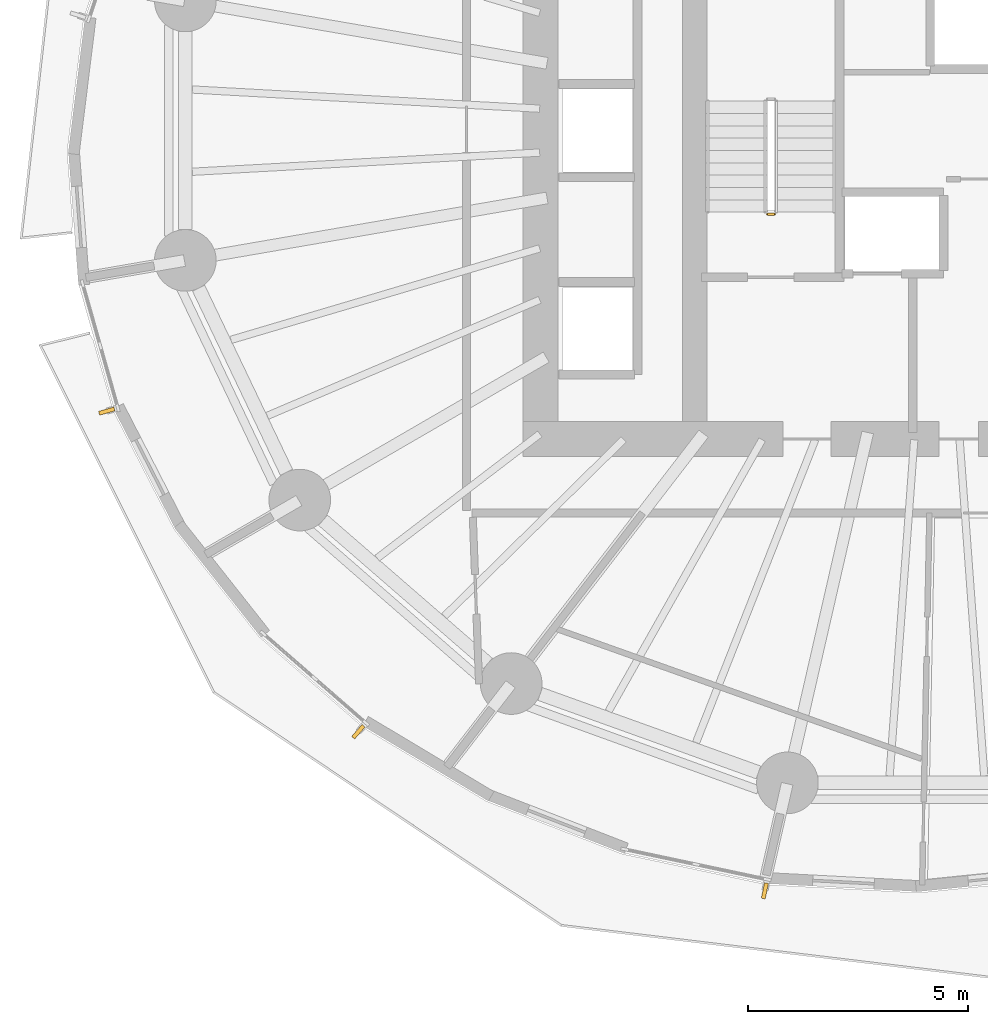
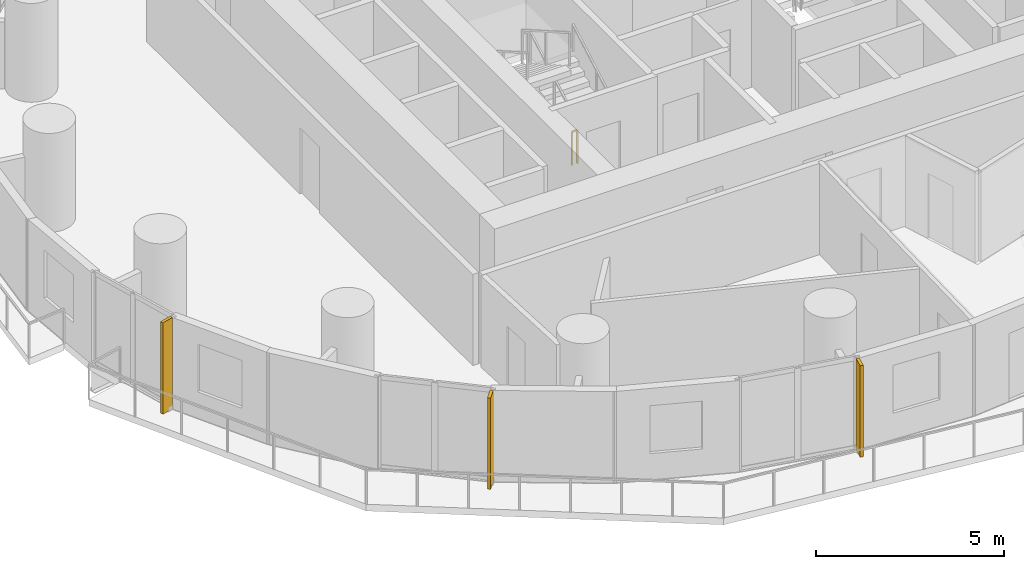
# One storey, part 10 of 13: 3 shading devices, 1 railing.
"""IFC4 building model written with IfcOpenShell, lengths in metres."""

from ifc_helpers import new_model, si_unit, direction, frame, origin, origin_2d, place, context, subcontext, project, spatial, rectangle, extrude, material, layer, layer_set, type_object, element, save


model = new_model("IFC4")

# Units and contexts
model_context = context("Model", 3, precision=1e-05, world=origin(), true_north=direction((0.0, 1.0)))
body_context = subcontext(model_context, "Body", "Model", "MODEL_VIEW")
ifc_project = project(units=[si_unit("LENGTHUNIT", "METRE"), si_unit("AREAUNIT", "SQUARE_METRE"), si_unit("VOLUMEUNIT", "CUBIC_METRE"), si_unit("PLANEANGLEUNIT", "RADIAN"), si_unit("MASSUNIT", "GRAM", prefix="KILO")], contexts=[model_context])

# Site, building, storey
site_placement = place(None, origin())
site = spatial("IfcSite", under=ifc_project, at=site_placement, CompositionType="ELEMENT")
building_placement = place(site_placement, origin())
building = spatial("IfcBuilding", under=site, at=building_placement, Name="Veldorim Arch Residences", CompositionType="ELEMENT")
storey_placement = place(building_placement, frame((0.0, 0.0, 47.199951171875)))
storey = spatial("IfcBuildingStorey", under=building, at=storey_placement, Name="L13", CompositionType="ELEMENT", Elevation=47.199951171875)

# Railing
ifc_material_1 = material(Name="Steel S355", Category="steel")
railing_type = type_object("IfcRailingType", Name="Galvanised Steel Stair Safety Guardrail 1100", PredefinedType="GUARDRAIL", material=ifc_material_1)
railing_placement = place(storey_placement, frame((28.31005859375, 22.10009765625, 0.0)))
element("IfcRailing", 1, at=railing_placement, inside=storey, type_object=railing_type, Name="L13 ST-1 stair guard 4", PredefinedType="GUARDRAIL", context=body_context, shape_type="SweptSolid", body=[
    extrude(rectangle(XDim=0.048095703125, YDim=0.048095703125, at=origin_2d()), frame((0.0, 0.0, 1.076171875), z_axis=(-1.0, 0.0, 0.0), x_axis=(0.0, -1.0, 0.0)), (0.0, 0.0, 1.0), 0.16015625),
    extrude(rectangle(XDim=0.0419921875, YDim=0.0419921875, at=origin_2d()), origin(), (0.0, 0.0, 1.0), 1.052001953125),
    extrude(rectangle(XDim=0.0419921875, YDim=0.0419921875, at=origin_2d()), frame((-0.16015625, 0.0, 0.0)), (0.0, 0.0, 1.0), 1.052001953125),
])

# Shading devices
ifc_material_2 = material(Name="Terracotta Ceramic", Category="masonry")
ifc_layer = layer(ifc_material_2, 0.090087890625, Name="Vertical Extruded Terracotta Baguette Sun-Shading Fin")
ifc_layer_set = layer_set([ifc_layer], Name="Terracotta Ceramic")
shading_device_type = type_object("IfcShadingDeviceType", Name="Vertical Extruded Terracotta Baguette Sun-Shading Fin", PredefinedType="USERDEFINED", material=ifc_layer_set)
for number, where, z_axis, x_axis, name in (
    (2, (13.149658203125, 17.630859375, 0.0), (0.0, 0.0, 1.0), (-0.272784025857, 0.962075296033, 0.0), "L13 vertical terracotta sun-shading fin 19"),
    (3, (18.86376953125, 10.351318359375, 0.0), (0.0, 0.0, 1.0), (-0.754136773416, 0.656717387452, 0.0), "L13 vertical terracotta sun-shading fin 22"),
    (4, (28.093994140625, 6.739501953125, 0.0), (0.0, 0.0, 1.0), (-0.978256328953, 0.207399505455, 0.0), "L13 vertical terracotta sun-shading fin 25"),
):
    element("IfcShadingDevice", number, at=place(storey_placement, frame(where, z_axis=z_axis, x_axis=x_axis)), inside=storey, type_object=shading_device_type, Name=name, ObjectType="FIN", PredefinedType="USERDEFINED", context=body_context, shape_type="SweptSolid", body=[
        extrude(rectangle(XDim=0.090087890625, YDim=0.360107421875, at=origin_2d()), origin(), (0.0, 0.0, 1.0), 2.9599609375),
    ])

save(model, "model.ifc")
